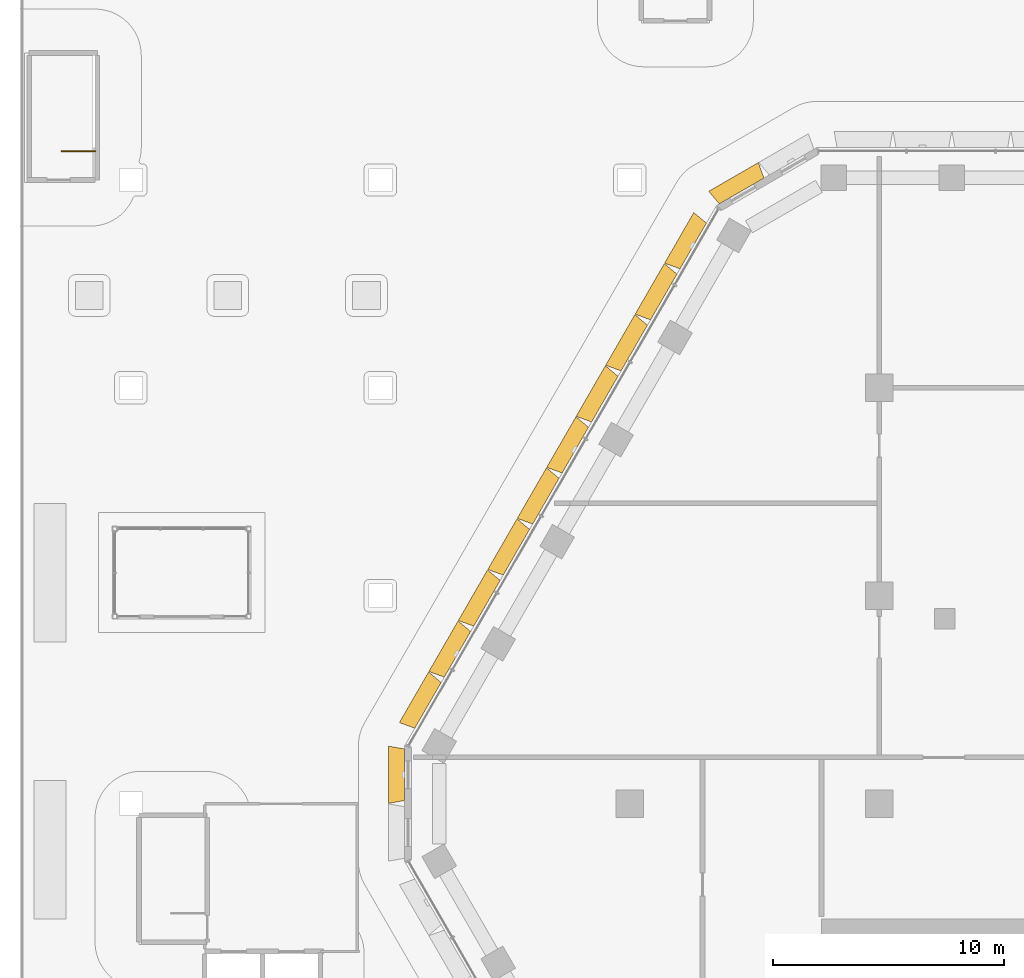
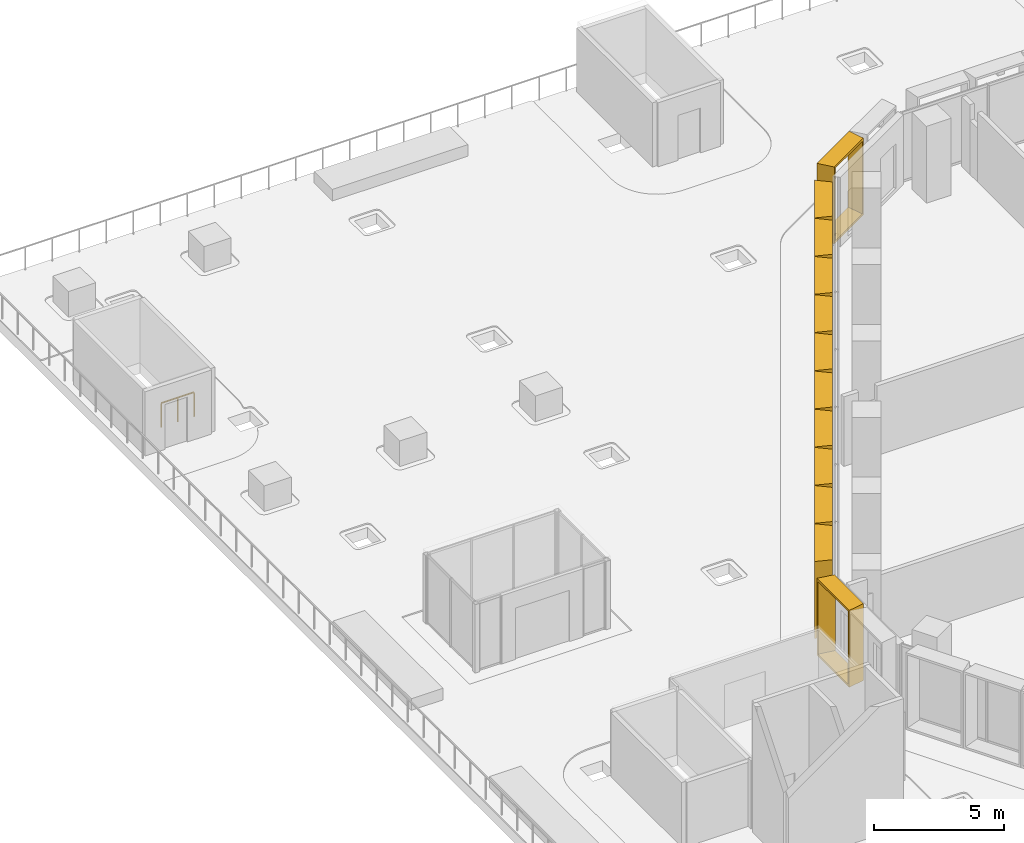
# One storey, part 36 of 38: 12 shading devices, 1 railing.
"""IFC4 building model written with IfcOpenShell, lengths in metres."""

from ifc_helpers import new_model, entity, si_unit, direction, frame, origin, origin_2d, place, context, subcontext, project, spatial, rectangle, extrude, source, transform, mapped, material, type_object, type_shapes, element, save


model = new_model("IFC4")

# Units and contexts
model_context = context("Model", 3, precision=1e-05, world=origin(), true_north=direction((0.0, 1.0)))
body_context = subcontext(model_context, "Body", "Model", "MODEL_VIEW")
ifc_project = project(units=[si_unit("LENGTHUNIT", "METRE"), si_unit("AREAUNIT", "SQUARE_METRE"), si_unit("VOLUMEUNIT", "CUBIC_METRE"), si_unit("PLANEANGLEUNIT", "RADIAN"), si_unit("MASSUNIT", "GRAM", prefix="KILO")], contexts=[model_context])

# Site, building, storey
site_placement = place(None, origin())
site = spatial("IfcSite", under=ifc_project, at=site_placement, CompositionType="ELEMENT")
building_placement = place(site_placement, origin())
building = spatial("IfcBuilding", under=site, at=building_placement, Name="Beryl Residences", CompositionType="ELEMENT")
storey_placement = place(building_placement, frame((0.0, 0.0, 9.0)))
storey = spatial("IfcBuildingStorey", under=building, at=storey_placement, Name="L02", CompositionType="ELEMENT", Elevation=9.0)

# Shading devices
ifc_material_1 = material(Name="Aluminium pale anodised", Category="aluminium")
shading_device_type_1 = type_object("IfcShadingDeviceType", Name="FR250-70A-H36 OUTER SKIN frame 700 mm deep, splay 10/10 deg, 2500 x 3600 mm cell", PredefinedType="USERDEFINED", material=ifc_material_1)
cartesian_point_1 = entity("IfcCartesianPoint", [-1.116455078125, 0.0])
cartesian_point_2 = entity("IfcCartesianPoint", [-1.03515625, 0.10009765625])
cartesian_point_3 = entity("IfcCartesianPoint", [-1.239990234375, 0.0])
cartesian_point_4 = entity("IfcCartesianPoint", [-1.15869140625, 0.10009765625])
shared_shape_1 = source(origin(), body_context, "Body", "SweptSolid", [
    entity("IfcExtrudedAreaSolidTapered", entity("IfcArbitraryProfileDefWithVoids", "AREA", None, entity("IfcPolyline", [cartesian_point_1, entity("IfcCartesianPoint", [1.116455078125, 0.0]), entity("IfcCartesianPoint", [1.116455078125, 3.60009765625]), entity("IfcCartesianPoint", [-1.116455078125, 3.60009765625]), cartesian_point_1]), [entity("IfcPolyline", [cartesian_point_2, entity("IfcCartesianPoint", [1.03515625, 0.10009765625]), entity("IfcCartesianPoint", [1.03515625, 3.5]), entity("IfcCartesianPoint", [-1.03515625, 3.5]), cartesian_point_2])]), entity("IfcAxis2Placement3D", entity("IfcCartesianPoint", [0.0, 0.0, 0.0]), entity("IfcDirection", [0.0, 1.0, 0.0]), entity("IfcDirection", [-1.0, 0.0, 0.0])), entity("IfcDirection", [0.0, 0.0, 1.0]), 0.699951171875, entity("IfcArbitraryProfileDefWithVoids", "AREA", None, entity("IfcPolyline", [cartesian_point_3, entity("IfcCartesianPoint", [1.239990234375, 0.0]), entity("IfcCartesianPoint", [1.239990234375, 3.60009765625]), entity("IfcCartesianPoint", [-1.239990234375, 3.60009765625]), cartesian_point_3]), [entity("IfcPolyline", [cartesian_point_4, entity("IfcCartesianPoint", [1.15869140625, 0.10009765625]), entity("IfcCartesianPoint", [1.15869140625, 3.5]), entity("IfcCartesianPoint", [-1.15869140625, 3.5]), cartesian_point_4])])),
])
type_shapes(shading_device_type_1, [shared_shape_1])
for number, where, z_axis, x_axis, name in (
    (1, (-16.758056640625, 26.52490234375, 0.0), (0.0, 0.0, 1.0), (0.866025403784, 0.5, 0.0), "FR250-70A-H36 frame L02 N-NW 2"),
    (2, (-31.35009765625, 1.25, 0.0), (0.0, 0.0, 1.0), (0.0, 1.0, 0.0), "FR250-70A-H36 frame L02 NW-SW 1"),
):
    element("IfcShadingDevice", number, at=place(storey_placement, frame(where, z_axis=z_axis, x_axis=x_axis)), inside=storey, type_object=shading_device_type_1, Name=name, ObjectType="OUTER SKIN", PredefinedType="USERDEFINED", context=body_context, shape_type="MappedRepresentation", body=[
        mapped(shared_shape_1, transform((0.0, 0.0, 0.0))),
    ])
ifc_material_2 = material(Name="Aluminium pale anodised", Category="aluminium")
shading_device_type_2 = type_object("IfcShadingDeviceType", Name="FR255-70A-H36 OUTER SKIN frame 700 mm deep, splay 10/10 deg, 2550 x 3600 mm cell", PredefinedType="USERDEFINED", material=ifc_material_2)
cartesian_point_5 = entity("IfcCartesianPoint", [-1.1416015625, 0.0])
cartesian_point_6 = entity("IfcCartesianPoint", [-1.060302734375, 0.10009765625])
cartesian_point_7 = entity("IfcCartesianPoint", [-1.264892578125, 0.0])
cartesian_point_8 = entity("IfcCartesianPoint", [-1.18359375, 0.10009765625])
shared_shape_2 = source(origin(), body_context, "Body", "SweptSolid", [
    entity("IfcExtrudedAreaSolidTapered", entity("IfcArbitraryProfileDefWithVoids", "AREA", None, entity("IfcPolyline", [cartesian_point_5, entity("IfcCartesianPoint", [1.1416015625, 0.0]), entity("IfcCartesianPoint", [1.1416015625, 3.60009765625]), entity("IfcCartesianPoint", [-1.1416015625, 3.60009765625]), cartesian_point_5]), [entity("IfcPolyline", [cartesian_point_6, entity("IfcCartesianPoint", [1.060302734375, 0.10009765625]), entity("IfcCartesianPoint", [1.060302734375, 3.5]), entity("IfcCartesianPoint", [-1.060302734375, 3.5]), cartesian_point_6])]), entity("IfcAxis2Placement3D", entity("IfcCartesianPoint", [0.0, 0.0, 0.0]), entity("IfcDirection", [0.0, 1.0, 0.0]), entity("IfcDirection", [-1.0, 0.0, 0.0])), entity("IfcDirection", [0.0, 0.0, 1.0]), 0.699951171875, entity("IfcArbitraryProfileDefWithVoids", "AREA", None, entity("IfcPolyline", [cartesian_point_7, entity("IfcCartesianPoint", [1.264892578125, 0.0]), entity("IfcCartesianPoint", [1.264892578125, 3.60009765625]), entity("IfcCartesianPoint", [-1.264892578125, 3.60009765625]), cartesian_point_7]), [entity("IfcPolyline", [cartesian_point_8, entity("IfcCartesianPoint", [1.18359375, 0.10009765625]), entity("IfcCartesianPoint", [1.18359375, 3.5]), entity("IfcCartesianPoint", [-1.18359375, 3.5]), cartesian_point_8])])),
])
type_shapes(shading_device_type_2, [shared_shape_2])
for number, where, z_axis, x_axis, name in (
    (3, (-18.85400390625, 24.14501953125, 0.0), (0.0, 0.0, 1.0), (0.5, 0.866025403784, 0.0), "FR255-70A-H36 frame L02 NW 1"),
    (4, (-20.1298828125, 21.93505859375, 0.0), (0.0, 0.0, 1.0), (0.5, 0.866025403784, 0.0), "FR255-70A-H36 frame L02 NW 2"),
    (5, (-21.406005859375, 19.72412109375, 0.0), (0.0, 0.0, 1.0), (0.5, 0.866025403784, 0.0), "FR255-70A-H36 frame L02 NW 3"),
    (6, (-22.681884765625, 17.513916015625, 0.0), (0.0, 0.0, 1.0), (0.5, 0.866025403784, 0.0), "FR255-70A-H36 frame L02 NW 4"),
    (7, (-23.9580078125, 15.303955078125, 0.0), (0.0, 0.0, 1.0), (0.5, 0.866025403784, 0.0), "FR255-70A-H36 frame L02 NW 5"),
    (8, (-25.23291015625, 13.093994140625, 0.0), (0.0, 0.0, 1.0), (0.5, 0.866025403784, 0.0), "FR255-70A-H36 frame L02 NW 6"),
    (9, (-26.509033203125, 10.884033203125, 0.0), (0.0, 0.0, 1.0), (0.5, 0.866025403784, 0.0), "FR255-70A-H36 frame L02 NW 7"),
    (10, (-27.784912109375, 8.674072265625, 0.0), (0.0, 0.0, 1.0), (0.5, 0.866025403784, 0.0), "FR255-70A-H36 frame L02 NW 8"),
    (11, (-29.06103515625, 6.464111328125, 0.0), (0.0, 0.0, 1.0), (0.5, 0.866025403784, 0.0), "FR255-70A-H36 frame L02 NW 9"),
    (12, (-30.3369140625, 4.25390625, 0.0), (0.0, 0.0, 1.0), (0.5, 0.866025403784, 0.0), "FR255-70A-H36 frame L02 NW 10"),
):
    element("IfcShadingDevice", number, at=place(storey_placement, frame(where, z_axis=z_axis, x_axis=x_axis)), inside=storey, type_object=shading_device_type_2, Name=name, ObjectType="OUTER SKIN", PredefinedType="USERDEFINED", context=body_context, shape_type="MappedRepresentation", body=[
        mapped(shared_shape_2, transform((0.0, 0.0, 0.0))),
    ])

# Railing
ifc_material_3 = material(Name="Stainless steel balustrade with glass infill", Category="steel")
railing_type = type_object("IfcRailingType", Name="SG1 stair guard 1100 mm", PredefinedType="GUARDRAIL", material=ifc_material_3)
railing_placement = place(storey_placement, frame((-44.75, 28.25, 0.0)))
element("IfcRailing", 13, at=railing_placement, inside=storey, type_object=railing_type, Name="L02 PS-3 top well guard 1", PredefinedType="GUARDRAIL", context=body_context, shape_type="SweptSolid", body=[
    extrude(rectangle(XDim=0.048095703125, YDim=0.048095703125, at=origin_2d()), frame((0.0, 0.0, 1.1357421875), z_axis=(-1.0, 0.0, 0.0), x_axis=(0.0, -1.0, 0.0)), (0.0, 0.0, 1.0), 1.449951171875),
    extrude(rectangle(XDim=0.0419921875, YDim=0.0419921875, at=origin_2d()), origin(), (0.0, 0.0, 1.0), 1.11181640625),
    extrude(rectangle(XDim=0.0419921875, YDim=0.0419921875, at=origin_2d()), frame((-0.72509765625, 0.0, 0.0)), (0.0, 0.0, 1.0), 1.11181640625),
    extrude(rectangle(XDim=0.0419921875, YDim=0.0419921875, at=origin_2d()), frame((-1.449951171875, 0.0, 0.0)), (0.0, 0.0, 1.0), 1.11181640625),
])

save(model, "model.ifc")
